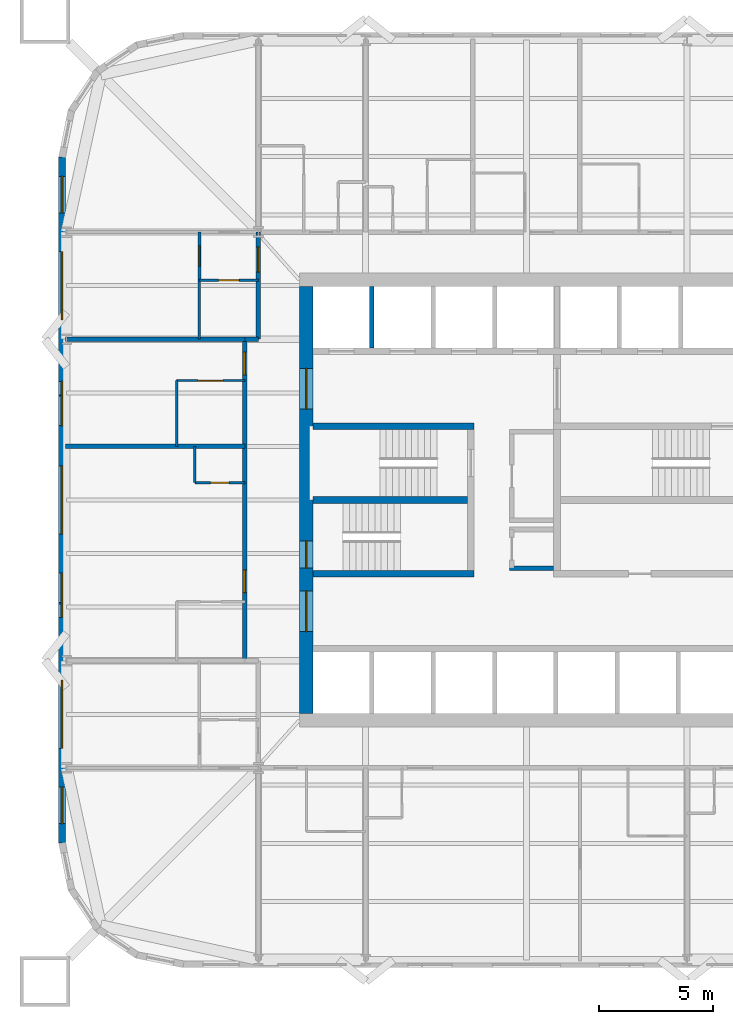
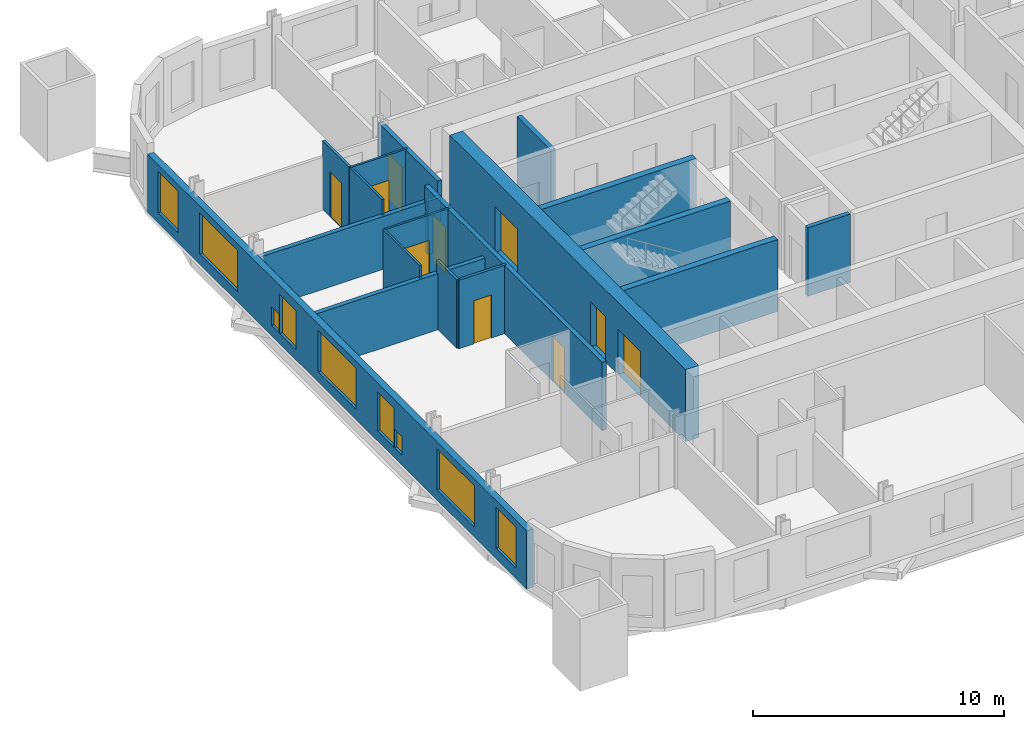
# One storey, part 4 of 9: 19 walls, 10 doors, 9 windows, 19 openings.
"""IFC4 building model written with IfcOpenShell, lengths in metres."""

from ifc_helpers import new_model, si_unit, direction, frame, frame_2d, origin, place, context, subcontext, project, spatial, rectangle, extrude, material, layer, layer_set, type_object, element, fill, save


model = new_model("IFC4")

# Units and contexts
model_context = context("Model", 3, precision=1e-05, world=origin(), true_north=direction((0.0, 1.0)))
body_context = subcontext(model_context, "Body", "Model", "MODEL_VIEW")
ifc_project = project(units=[si_unit("LENGTHUNIT", "METRE"), si_unit("AREAUNIT", "SQUARE_METRE"), si_unit("VOLUMEUNIT", "CUBIC_METRE"), si_unit("PLANEANGLEUNIT", "RADIAN"), si_unit("MASSUNIT", "GRAM", prefix="KILO")], contexts=[model_context])

# Site, building, storey
site_placement = place(None, origin())
site = spatial("IfcSite", under=ifc_project, at=site_placement, CompositionType="ELEMENT")
building_placement = place(site_placement, origin())
building = spatial("IfcBuilding", under=site, at=building_placement, Name="Turquesa Mirador Hotel Tower", CompositionType="ELEMENT")
storey_placement = place(building_placement, frame((0.0, 0.0, 114.39990234375)))
storey = spatial("IfcBuildingStorey", under=building, at=storey_placement, Name="L30", CompositionType="ELEMENT", Elevation=114.39990234375)

# Wall, opening, door
ifc_material_1 = material(Name="Gypsum board on steel studs", Category="steel")
ifc_layer_1 = layer(ifc_material_1, 0.10009765625)
ifc_layer_set_1 = layer_set([ifc_layer_1], Name="BATHROOM WALL 100")
wall_type_1 = type_object("IfcWallType", Name="BATHROOM WALL 100", PredefinedType="PARTITIONING", material=ifc_layer_set_1)
wall_1_placement = place(storey_placement, frame((39.60009765625, 50.260009765625, 0.0), z_axis=(0.0, 0.0, 1.0), x_axis=(1.0, 0.0, 0.0)))
wall_1 = element("IfcWall", 1, at=wall_1_placement, inside=storey, type_object=wall_type_1, Name="Partition L30 034", PredefinedType="PARTITIONING", context=body_context, shape_type="SweptSolid", body=[
    extrude(rectangle(XDim=3.0, YDim=0.10009765625, at=frame_2d((1.5, 0.0))), origin(), (0.0, 0.0, 1.0), 3.330078125),
])
opening_1_placement = place(wall_1_placement, frame((0.949951171875, 0.0, 0.0)))
opening_1 = element("IfcOpeningElement", 2, at=opening_1_placement, cuts=wall_1, Name="Opening D16", PredefinedType="OPENING", context=body_context, shape_type="SweptSolid", body=[
    extrude(rectangle(XDim=1.10009765625, YDim=2.10009765625, at=frame_2d((0.550048828125, 1.050048828125))), frame((0.0, 0.06005859375, 0.0), z_axis=(0.0, -1.0, 0.0), x_axis=(1.0, 0.0, 0.0)), (0.0, 0.0, 1.0), 0.1201171875),
])
ifc_material_2 = material(Name="Timber veneered sliding door", Category="wood")
door_type_1 = type_object("IfcDoorType", Name="DOOR 1100X2100 ACCESSIBLE EN-SUITE", OperationType="SLIDING_TO_LEFT", PredefinedType="DOOR", material=ifc_material_2)
door_1_placement = place(opening_1_placement, origin())
door_1 = element("IfcDoor", 3, at=door_1_placement, inside=storey, type_object=door_type_1, Name="Door 3012B", OperationType="SLIDING_TO_LEFT", OverallHeight=2.10009765625, OverallWidth=1.10009765625, PredefinedType="DOOR", context=body_context, shape_type="SweptSolid", body=[
    extrude(rectangle(XDim=1.10009765625, YDim=2.10009765625, at=frame_2d((0.550048828125, 1.050048828125))), frame((0.0, 0.02490234375, 0.0), z_axis=(0.0, -1.0, 0.0), x_axis=(1.0, 0.0, 0.0)), (0.0, 0.0, 1.0), 0.050048828125),
])
fill(opening_1, door_1)

wall_2_placement = place(storey_placement, frame((40.60009765625, 54.679931640625, 0.0), z_axis=(0.0, 0.0, 1.0), x_axis=(1.0, 0.0, 0.0)))
wall_2 = element("IfcWall", 4, at=wall_2_placement, inside=storey, type_object=wall_type_1, Name="Partition L30 039", PredefinedType="PARTITIONING", context=body_context, shape_type="SweptSolid", body=[
    extrude(rectangle(XDim=2.599853515625, YDim=0.10009765625, at=frame_2d((1.2998046875, 0.0))), origin(), (0.0, 0.0, 1.0), 3.330078125),
])
opening_2_placement = place(wall_2_placement, frame((0.85009765625, 0.0, 0.0)))
opening_2 = element("IfcOpeningElement", 5, at=opening_2_placement, cuts=wall_2, Name="Opening D02", PredefinedType="OPENING", context=body_context, shape_type="SweptSolid", body=[
    extrude(rectangle(XDim=0.89990234375, YDim=2.10009765625, at=frame_2d((0.449951171875, 1.050048828125))), frame((0.0, 0.06005859375, 0.0), z_axis=(0.0, -1.0, 0.0), x_axis=(1.0, 0.0, 0.0)), (0.0, 0.0, 1.0), 0.1201171875),
])
ifc_material_3 = material(Name="Timber veneered door", Category="wood")
door_type_2 = type_object("IfcDoorType", Name="DOOR 900X2100 EN-SUITE", OperationType="SINGLE_SWING_RIGHT", PredefinedType="DOOR", material=ifc_material_3)
door_2_placement = place(opening_2_placement, origin())
door_2 = element("IfcDoor", 6, at=door_2_placement, inside=storey, type_object=door_type_2, Name="Door 3014B", OperationType="SINGLE_SWING_RIGHT", OverallHeight=2.10009765625, OverallWidth=0.89990234375, PredefinedType="DOOR", context=body_context, shape_type="SweptSolid", body=[
    extrude(rectangle(XDim=0.89990234375, YDim=2.10009765625, at=frame_2d((0.449951171875, 1.050048828125))), frame((0.0, 0.02490234375, 0.0), z_axis=(0.0, -1.0, 0.0), x_axis=(1.0, 0.0, 0.0)), (0.0, 0.0, 1.0), 0.050048828125),
])
fill(opening_2, door_2)

# Walls
wall_3_placement = place(storey_placement, frame((40.60009765625, 52.080078125, 0.0), z_axis=(0.0, 0.0, 1.0), x_axis=(0.0, 1.0, 0.0)))
element("IfcWall", 7, at=wall_3_placement, inside=storey, type_object=wall_type_1, Name="Partition L30 048", PredefinedType="PARTITIONING", context=body_context, shape_type="SweptSolid", body=[
    extrude(rectangle(XDim=2.599853515625, YDim=0.10009765625, at=frame_2d((1.2998046875, 0.0))), origin(), (0.0, 0.0, 1.0), 3.330078125),
])
wall_4_placement = place(storey_placement, frame((39.60009765625, 47.360107421875, 0.0), z_axis=(0.0, 0.0, 1.0), x_axis=(0.0, 1.0, 0.0)))
element("IfcWall", 8, at=wall_4_placement, inside=storey, type_object=wall_type_1, Name="Partition L30 053", PredefinedType="PARTITIONING", context=body_context, shape_type="SweptSolid", body=[
    extrude(rectangle(XDim=2.89990234375, YDim=0.10009765625, at=frame_2d((1.449951171875, 0.0))), origin(), (0.0, 0.0, 1.0), 3.330078125),
])
ifc_material_4 = material(Name="Concrete C50/60", Category="concrete")
ifc_layer_2 = layer(ifc_material_4, 0.300048828125)
ifc_layer_set_2 = layer_set([ifc_layer_2], Name="CORE INNER WALL 300")
wall_type_2 = type_object("IfcWallType", Name="CORE INNER WALL 300", PredefinedType="SHEAR", material=ifc_layer_set_2)
for number, where, z_axis, x_axis, name in (
    (9, (45.60009765625, 48.25, 0.0), (0.0, 0.0, 1.0), (1.0, 0.0, 0.0), "Core wall MN-W"),
    (10, (45.60009765625, 41.75, 0.0), (0.0, 0.0, 1.0), (1.0, 0.0, 0.0), "Core wall MS-W"),
):
    element("IfcWall", number, at=place(storey_placement, frame(where, z_axis=z_axis, x_axis=x_axis)), inside=storey, type_object=wall_type_2, Name=name, PredefinedType="SHEAR", context=body_context, shape_type="SweptSolid", body=[
        extrude(rectangle(XDim=7.099853515625, YDim=0.300048828125, at=frame_2d((3.5498046875, 0.0))), origin(), (0.0, 0.0, 1.0), 3.5),
    ])
wall_5_placement = place(storey_placement, frame((45.60009765625, 45.0, 0.0), z_axis=(0.0, 0.0, 1.0), x_axis=(1.0, 0.0, 0.0)))
element("IfcWall", 11, at=wall_5_placement, inside=storey, type_object=wall_type_2, Name="Core wall M0-W", PredefinedType="SHEAR", context=body_context, shape_type="SweptSolid", body=[
    extrude(rectangle(XDim=6.7998046875, YDim=0.300048828125, at=frame_2d((3.39990234375, 0.0))), origin(), (0.0, 0.0, 1.0), 3.5),
])

# Wall, openings, doors
ifc_material_5 = material(Name="Concrete C50/60", Category="concrete")
ifc_layer_3 = layer(ifc_material_5, 0.60009765625)
ifc_layer_set_3 = layer_set([ifc_layer_3], Name="CORE WALL 600")
wall_type_3 = type_object("IfcWallType", Name="CORE WALL 600", PredefinedType="SHEAR", material=ifc_layer_set_3)
wall_6_placement = place(storey_placement, frame((45.300048828125, 35.60009765625, 0.0), z_axis=(0.0, 0.0, 1.0), x_axis=(0.0, 1.0, 0.0)))
wall_6 = element("IfcWall", 12, at=wall_6_placement, inside=storey, type_object=wall_type_3, Name="Core wall W", PredefinedType="SHEAR", context=body_context, shape_type="SweptSolid", body=[
    extrude(rectangle(XDim=18.7998046875, YDim=0.60009765625, at=frame_2d((9.39990234375, 0.0))), origin(), (0.0, 0.0, 1.0), 3.5),
])
opening_3_placement = place(wall_6_placement, frame((13.39990234375, 0.0, 0.0)))
opening_3 = element("IfcOpeningElement", 13, at=opening_3_placement, cuts=wall_6, Name="Opening D04", PredefinedType="OPENING", context=body_context, shape_type="SweptSolid", body=[
    extrude(rectangle(XDim=1.800048828125, YDim=2.199951171875, at=frame_2d((0.89990234375, 1.10009765625))), frame((0.0, 0.31005859375, 0.0), z_axis=(0.0, -1.0, 0.0), x_axis=(1.0, 0.0, 0.0)), (0.0, 0.0, 1.0), 0.6201171875),
])
opening_4_placement = place(wall_6_placement, frame((3.60009765625, 0.0, 0.0)))
opening_4 = element("IfcOpeningElement", 14, at=opening_4_placement, cuts=wall_6, Name="Opening D04", PredefinedType="OPENING", context=body_context, shape_type="SweptSolid", body=[
    extrude(rectangle(XDim=1.800048828125, YDim=2.199951171875, at=frame_2d((0.89990234375, 1.10009765625))), frame((0.0, 0.31005859375, 0.0), z_axis=(0.0, -1.0, 0.0), x_axis=(1.0, 0.0, 0.0)), (0.0, 0.0, 1.0), 0.6201171875),
])
opening_5_placement = place(wall_6_placement, frame((6.39990234375, 0.0, 0.0)))
opening_5 = element("IfcOpeningElement", 15, at=opening_5_placement, cuts=wall_6, Name="Opening D03", PredefinedType="OPENING", context=body_context, shape_type="SweptSolid", body=[
    extrude(rectangle(XDim=1.199951171875, YDim=2.199951171875, at=frame_2d((0.60009765625, 1.10009765625))), frame((0.0, 0.31005859375, 0.0), z_axis=(0.0, -1.0, 0.0), x_axis=(1.0, 0.0, 0.0)), (0.0, 0.0, 1.0), 0.6201171875),
])
ifc_material_6 = material(Name="Steel fire door", Category="steel")
door_type_3 = type_object("IfcDoorType", Name="DOOR 1200X2200 STAIR", OperationType="SINGLE_SWING_LEFT", PredefinedType="DOOR", material=ifc_material_6)
door_3_placement = place(opening_5_placement, origin())
door_3 = element("IfcDoor", 16, at=door_3_placement, inside=storey, type_object=door_type_3, Name="Stair ST2 door", OperationType="SINGLE_SWING_LEFT", OverallHeight=2.199951171875, OverallWidth=1.199951171875, PredefinedType="DOOR", context=body_context, shape_type="SweptSolid", body=[
    extrude(rectangle(XDim=1.199951171875, YDim=2.199951171875, at=frame_2d((0.60009765625, 1.10009765625))), frame((0.0, 0.02490234375, 0.0), z_axis=(0.0, -1.0, 0.0), x_axis=(1.0, 0.0, 0.0)), (0.0, 0.0, 1.0), 0.050048828125),
])
fill(opening_5, door_3)
ifc_material_7 = material(Name="Steel fire door pair", Category="steel")
door_type_4 = type_object("IfcDoorType", Name="DOOR 1800X2200 PAIR", OperationType="DOUBLE_DOOR_SINGLE_SWING", PredefinedType="DOOR", material=ifc_material_7)
door_4_placement = place(opening_3_placement, origin())
door_4 = element("IfcDoor", 17, at=door_4_placement, inside=storey, type_object=door_type_4, Name="North lift lobby door", OperationType="DOUBLE_DOOR_SINGLE_SWING", OverallHeight=2.199951171875, OverallWidth=1.800048828125, PredefinedType="DOOR", context=body_context, shape_type="SweptSolid", body=[
    extrude(rectangle(XDim=1.800048828125, YDim=2.199951171875, at=frame_2d((0.89990234375, 1.10009765625))), frame((0.0, 0.02490234375, 0.0), z_axis=(0.0, -1.0, 0.0), x_axis=(1.0, 0.0, 0.0)), (0.0, 0.0, 1.0), 0.050048828125),
])
fill(opening_3, door_4)
door_5_placement = place(opening_4_placement, origin())
door_5 = element("IfcDoor", 18, at=door_5_placement, inside=storey, type_object=door_type_4, Name="South lift lobby door", OperationType="DOUBLE_DOOR_SINGLE_SWING", OverallHeight=2.199951171875, OverallWidth=1.800048828125, PredefinedType="DOOR", context=body_context, shape_type="SweptSolid", body=[
    extrude(rectangle(XDim=1.800048828125, YDim=2.199951171875, at=frame_2d((0.89990234375, 1.10009765625))), frame((0.0, 0.02490234375, 0.0), z_axis=(0.0, -1.0, 0.0), x_axis=(1.0, 0.0, 0.0)), (0.0, 0.0, 1.0), 0.050048828125),
])
fill(opening_4, door_5)

# Wall
ifc_material_8 = material(Name="Fire-rated gypsum board on steel studs", Category="steel")
ifc_layer_4 = layer(ifc_material_8, 0.199951171875)
ifc_layer_set_4 = layer_set([ifc_layer_4], Name="CORRIDOR WALL 200")
wall_type_4 = type_object("IfcWallType", Name="CORRIDOR WALL 200", PredefinedType="PARTITIONING", material=ifc_layer_set_4)
wall_7_placement = place(storey_placement, frame((42.60009765625, 52.080078125, 0.0), z_axis=(0.0, 0.0, 1.0), x_axis=(1.0, 0.0, 0.0)))
element("IfcWall", 19, at=wall_7_placement, inside=storey, type_object=wall_type_4, Name="Partition L30 035", PredefinedType="PARTITIONING", context=body_context, shape_type="SweptSolid", body=[
    extrude(rectangle(XDim=0.599853515625, YDim=0.199951171875, at=frame_2d((0.2998046875, 0.0))), origin(), (0.0, 0.0, 1.0), 2.5732421875),
])

# Wall, opening, door
wall_8_placement = place(storey_placement, frame((43.199951171875, 52.080078125, 0.0), z_axis=(0.0, 0.0, 1.0), x_axis=(0.0, 1.0, 0.0)))
wall_8 = element("IfcWall", 20, at=wall_8_placement, inside=storey, type_object=wall_type_4, Name="Partition L30 043", PredefinedType="PARTITIONING", context=body_context, shape_type="SweptSolid", body=[
    extrude(rectangle(XDim=4.719970703125, YDim=0.199951171875, at=frame_2d((2.35986328125, 0.0))), origin(), (0.0, 0.0, 1.0), 3.330078125),
])
opening_6_placement = place(wall_8_placement, frame((2.9599609375, 0.0, 0.0)))
opening_6 = element("IfcOpeningElement", 21, at=opening_6_placement, cuts=wall_8, Name="Opening D15", PredefinedType="OPENING", context=body_context, shape_type="SweptSolid", body=[
    extrude(rectangle(XDim=1.10009765625, YDim=2.199951171875, at=frame_2d((0.550048828125, 1.10009765625))), frame((0.0, 0.10986328125, 0.0), z_axis=(0.0, -1.0, 0.0), x_axis=(1.0, 0.0, 0.0)), (0.0, 0.0, 1.0), 0.219970703125),
])
ifc_material_9 = material(Name="Timber veneered fire door", Category="wood")
door_type_5 = type_object("IfcDoorType", Name="DOOR 1100X2200 SUITE ENTRY", OperationType="SINGLE_SWING_LEFT", PredefinedType="DOOR", material=ifc_material_9)
door_6_placement = place(opening_6_placement, origin())
door_6 = element("IfcDoor", 22, at=door_6_placement, inside=storey, type_object=door_type_5, Name="Door 3014H", OperationType="SINGLE_SWING_LEFT", OverallHeight=2.199951171875, OverallWidth=1.10009765625, PredefinedType="DOOR", context=body_context, shape_type="SweptSolid", body=[
    extrude(rectangle(XDim=1.10009765625, YDim=2.199951171875, at=frame_2d((0.550048828125, 1.10009765625))), frame((0.0, 0.02490234375, 0.0), z_axis=(0.0, -1.0, 0.0), x_axis=(1.0, 0.0, 0.0)), (0.0, 0.0, 1.0), 0.050048828125),
])
fill(opening_6, door_6)

# Wall, openings, doors
wall_9_placement = place(storey_placement, frame((42.60009765625, 37.919921875, 0.0), z_axis=(0.0, 0.0, 1.0), x_axis=(0.0, 1.0, 0.0)))
wall_9 = element("IfcWall", 23, at=wall_9_placement, inside=storey, type_object=wall_type_4, Name="Partition L30 046", PredefinedType="PARTITIONING", context=body_context, shape_type="SweptSolid", body=[
    extrude(rectangle(XDim=14.16015625, YDim=0.199951171875, at=frame_2d((7.080078125, 0.0))), origin(), (0.0, 0.0, 1.0), 3.330078125),
])
opening_7_placement = place(wall_9_placement, frame((3.0, 0.0, 0.0)))
opening_7 = element("IfcOpeningElement", 24, at=opening_7_placement, cuts=wall_9, Name="Opening D01", PredefinedType="OPENING", context=body_context, shape_type="SweptSolid", body=[
    extrude(rectangle(XDim=1.0, YDim=2.199951171875, at=frame_2d((0.5, 1.10009765625))), frame((0.0, 0.10986328125, 0.0), z_axis=(0.0, -1.0, 0.0), x_axis=(1.0, 0.0, 0.0)), (0.0, 0.0, 1.0), 0.219970703125),
])
opening_8_placement = place(wall_9_placement, frame((12.590087890625, 0.0, 0.0)))
opening_8 = element("IfcOpeningElement", 25, at=opening_8_placement, cuts=wall_9, Name="Opening D01", PredefinedType="OPENING", context=body_context, shape_type="SweptSolid", body=[
    extrude(rectangle(XDim=1.0, YDim=2.199951171875, at=frame_2d((0.5, 1.10009765625))), frame((0.0, 0.10986328125, 0.0), z_axis=(0.0, -1.0, 0.0), x_axis=(1.0, 0.0, 0.0)), (0.0, 0.0, 1.0), 0.219970703125),
])
ifc_material_10 = material(Name="Timber veneered fire door", Category="wood")
door_type_6 = type_object("IfcDoorType", Name="DOOR 1000X2200 GUEST ENTRY", OperationType="SINGLE_SWING_LEFT", PredefinedType="DOOR", material=ifc_material_10)
door_7_placement = place(opening_7_placement, origin())
door_7 = element("IfcDoor", 26, at=door_7_placement, inside=storey, type_object=door_type_6, Name="Door 3011", OperationType="SINGLE_SWING_LEFT", OverallHeight=2.199951171875, OverallWidth=1.0, PredefinedType="DOOR", context=body_context, shape_type="SweptSolid", body=[
    extrude(rectangle(XDim=1.0, YDim=2.199951171875, at=frame_2d((0.5, 1.10009765625))), frame((0.0, 0.02490234375, 0.0), z_axis=(0.0, -1.0, 0.0), x_axis=(1.0, 0.0, 0.0)), (0.0, 0.0, 1.0), 0.050048828125),
])
fill(opening_7, door_7)
door_8_placement = place(opening_8_placement, origin())
door_8 = element("IfcDoor", 27, at=door_8_placement, inside=storey, type_object=door_type_6, Name="Door 3012", OperationType="SINGLE_SWING_LEFT", OverallHeight=2.199951171875, OverallWidth=1.0, PredefinedType="DOOR", context=body_context, shape_type="SweptSolid", body=[
    extrude(rectangle(XDim=1.0, YDim=2.199951171875, at=frame_2d((0.5, 1.10009765625))), frame((0.0, 0.02490234375, 0.0), z_axis=(0.0, -1.0, 0.0), x_axis=(1.0, 0.0, 0.0)), (0.0, 0.0, 1.0), 0.050048828125),
])
fill(opening_8, door_8)

# Wall, openings, windows
ifc_material_11 = material(Name="Limestone cladding on concrete block", Category="masonry")
ifc_layer_5 = layer(ifc_material_11, 0.300048828125)
ifc_layer_set_5 = layer_set([ifc_layer_5], Name="FACADE WALL 300 STONE SCREEN")
wall_type_5 = type_object("IfcWallType", Name="FACADE WALL 300 STONE SCREEN", PredefinedType="SOLIDWALL", material=ifc_layer_set_5)
wall_10_placement = place(storey_placement, frame((34.550048828125, 60.10009765625, 0.0), z_axis=(0.0, 0.0, 1.0), x_axis=(0.0, -1.0, 0.0)))
wall_10 = element("IfcWall", 28, at=wall_10_placement, inside=storey, type_object=wall_type_5, Name="Facade wall L30 14", PredefinedType="SOLIDWALL", context=body_context, shape_type="SweptSolid", body=[
    extrude(rectangle(XDim=30.2001953125, YDim=0.300048828125, at=frame_2d((15.10009765625, 0.0))), origin(), (0.0, 0.0, 1.0), 2.830078125),
])
opening_9_placement = place(wall_10_placement, frame((0.85009765625, 0.0, 0.5)))
opening_9 = element("IfcOpeningElement", 29, at=opening_9_placement, cuts=wall_10, Name="Opening WN3", PredefinedType="OPENING", context=body_context, shape_type="SweptSolid", body=[
    extrude(rectangle(XDim=1.60009765625, YDim=2.0, at=frame_2d((0.800048828125, 1.0))), frame((0.0, 0.159912109375, 0.0), z_axis=(0.0, -1.0, 0.0), x_axis=(1.0, 0.0, 0.0)), (0.0, 0.0, 1.0), 0.320068359375),
])
opening_10_placement = place(wall_10_placement, frame((4.159912109375, 0.0, 0.5)))
opening_10 = element("IfcOpeningElement", 30, at=opening_10_placement, cuts=wall_10, Name="Opening WN1", PredefinedType="OPENING", context=body_context, shape_type="SweptSolid", body=[
    extrude(rectangle(XDim=3.0, YDim=2.0, at=frame_2d((1.5, 1.0))), frame((0.0, 0.159912109375, 0.0), z_axis=(0.0, -1.0, 0.0), x_axis=(1.0, 0.0, 0.0)), (0.0, 0.0, 1.0), 0.320068359375),
])
opening_11_placement = place(wall_10_placement, frame((10.530029296875, 0.0, 0.5)))
opening_11 = element("IfcOpeningElement", 31, at=opening_11_placement, cuts=wall_10, Name="Opening WN27", PredefinedType="OPENING", context=body_context, shape_type="SweptSolid", body=[
    extrude(rectangle(XDim=1.300048828125, YDim=1.89990234375, at=frame_2d((0.64990234375, 0.949951171875))), frame((0.0, 0.159912109375, 0.0), z_axis=(0.0, -1.0, 0.0), x_axis=(1.0, 0.0, 0.0)), (0.0, 0.0, 1.0), 0.320068359375),
])
opening_12_placement = place(wall_10_placement, frame((13.60009765625, 0.0, 0.5)))
opening_12 = element("IfcOpeningElement", 32, at=opening_12_placement, cuts=wall_10, Name="Opening WN1", PredefinedType="OPENING", context=body_context, shape_type="SweptSolid", body=[
    extrude(rectangle(XDim=3.0, YDim=2.0, at=frame_2d((1.5, 1.0))), frame((0.0, 0.159912109375, 0.0), z_axis=(0.0, -1.0, 0.0), x_axis=(1.0, 0.0, 0.0)), (0.0, 0.0, 1.0), 0.320068359375),
])
opening_13_placement = place(wall_10_placement, frame((18.320068359375, 0.0, 0.5)))
opening_13 = element("IfcOpeningElement", 33, at=opening_13_placement, cuts=wall_10, Name="Opening WN27", PredefinedType="OPENING", context=body_context, shape_type="SweptSolid", body=[
    extrude(rectangle(XDim=1.300048828125, YDim=1.89990234375, at=frame_2d((0.64990234375, 0.949951171875))), frame((0.0, 0.159912109375, 0.0), z_axis=(0.0, -1.0, 0.0), x_axis=(1.0, 0.0, 0.0)), (0.0, 0.0, 1.0), 0.320068359375),
])
opening_14_placement = place(wall_10_placement, frame((23.0400390625, 0.0, 0.5)))
opening_14 = element("IfcOpeningElement", 34, at=opening_14_placement, cuts=wall_10, Name="Opening WN1", PredefinedType="OPENING", context=body_context, shape_type="SweptSolid", body=[
    extrude(rectangle(XDim=3.0, YDim=2.0, at=frame_2d((1.5, 1.0))), frame((0.0, 0.159912109375, 0.0), z_axis=(0.0, -1.0, 0.0), x_axis=(1.0, 0.0, 0.0)), (0.0, 0.0, 1.0), 0.320068359375),
])
opening_15_placement = place(wall_10_placement, frame((27.75, 0.0, 0.5)))
opening_15 = element("IfcOpeningElement", 35, at=opening_15_placement, cuts=wall_10, Name="Opening WN3", PredefinedType="OPENING", context=body_context, shape_type="SweptSolid", body=[
    extrude(rectangle(XDim=1.60009765625, YDim=2.0, at=frame_2d((0.800048828125, 1.0))), frame((0.0, 0.159912109375, 0.0), z_axis=(0.0, -1.0, 0.0), x_axis=(1.0, 0.0, 0.0)), (0.0, 0.0, 1.0), 0.320068359375),
])
opening_16_placement = place(wall_10_placement, frame((9.8798828125, 0.0, 0.5)))
opening_16 = element("IfcOpeningElement", 36, at=opening_16_placement, cuts=wall_10, Name="Opening WN25", PredefinedType="OPENING", context=body_context, shape_type="SweptSolid", body=[
    extrude(rectangle(XDim=0.60009765625, YDim=0.89990234375, at=frame_2d((0.300048828125, 0.449951171875))), frame((0.0, 0.159912109375, 0.0), z_axis=(0.0, -1.0, 0.0), x_axis=(1.0, 0.0, 0.0)), (0.0, 0.0, 1.0), 0.320068359375),
])
opening_17_placement = place(wall_10_placement, frame((19.669921875, 0.0, 0.5)))
opening_17 = element("IfcOpeningElement", 37, at=opening_17_placement, cuts=wall_10, Name="Opening WN25", PredefinedType="OPENING", context=body_context, shape_type="SweptSolid", body=[
    extrude(rectangle(XDim=0.60009765625, YDim=0.89990234375, at=frame_2d((0.300048828125, 0.449951171875))), frame((0.0, 0.159912109375, 0.0), z_axis=(0.0, -1.0, 0.0), x_axis=(1.0, 0.0, 0.0)), (0.0, 0.0, 1.0), 0.320068359375),
])
ifc_material_12 = material(Name="Ceramic-fritted laminated glass", Category="glass")
window_type_1 = type_object("IfcWindowType", Name="FRITTED WINDOW 1300X1900", PartitioningType="DOUBLE_PANEL_HORIZONTAL", PredefinedType="WINDOW", material=ifc_material_12)
window_1_placement = place(opening_11_placement, origin())
window_1 = element("IfcWindow", 38, at=window_1_placement, inside=storey, type_object=window_type_1, Name="Window L30", OverallHeight=1.89990234375, OverallWidth=1.300048828125, PartitioningType="SINGLE_PANEL", PredefinedType="WINDOW", context=body_context, shape_type="SweptSolid", body=[
    extrude(rectangle(XDim=1.300048828125, YDim=1.89990234375, at=frame_2d((0.64990234375, 0.949951171875))), frame((0.0, 0.030029296875, 0.0), z_axis=(0.0, -1.0, 0.0), x_axis=(1.0, 0.0, 0.0)), (0.0, 0.0, 1.0), 0.06005859375),
])
fill(opening_11, window_1)
window_2_placement = place(opening_13_placement, origin())
window_2 = element("IfcWindow", 39, at=window_2_placement, inside=storey, type_object=window_type_1, Name="Window L30", OverallHeight=1.89990234375, OverallWidth=1.300048828125, PartitioningType="SINGLE_PANEL", PredefinedType="WINDOW", context=body_context, shape_type="SweptSolid", body=[
    extrude(rectangle(XDim=1.300048828125, YDim=1.89990234375, at=frame_2d((0.64990234375, 0.949951171875))), frame((0.0, 0.030029296875, 0.0), z_axis=(0.0, -1.0, 0.0), x_axis=(1.0, 0.0, 0.0)), (0.0, 0.0, 1.0), 0.06005859375),
])
fill(opening_13, window_2)
ifc_material_13 = material(Name="Ceramic-fritted laminated glass", Category="glass")
window_type_2 = type_object("IfcWindowType", Name="FRITTED WINDOW 1600X2000", PartitioningType="DOUBLE_PANEL_HORIZONTAL", PredefinedType="WINDOW", material=ifc_material_13)
window_3_placement = place(opening_9_placement, origin())
window_3 = element("IfcWindow", 40, at=window_3_placement, inside=storey, type_object=window_type_2, Name="Window L30", OverallHeight=2.0, OverallWidth=1.60009765625, PartitioningType="SINGLE_PANEL", PredefinedType="WINDOW", context=body_context, shape_type="SweptSolid", body=[
    extrude(rectangle(XDim=1.60009765625, YDim=2.0, at=frame_2d((0.800048828125, 1.0))), frame((0.0, 0.030029296875, 0.0), z_axis=(0.0, -1.0, 0.0), x_axis=(1.0, 0.0, 0.0)), (0.0, 0.0, 1.0), 0.06005859375),
])
fill(opening_9, window_3)
window_4_placement = place(opening_15_placement, origin())
window_4 = element("IfcWindow", 41, at=window_4_placement, inside=storey, type_object=window_type_2, Name="Window L30", OverallHeight=2.0, OverallWidth=1.60009765625, PartitioningType="SINGLE_PANEL", PredefinedType="WINDOW", context=body_context, shape_type="SweptSolid", body=[
    extrude(rectangle(XDim=1.60009765625, YDim=2.0, at=frame_2d((0.800048828125, 1.0))), frame((0.0, 0.030029296875, 0.0), z_axis=(0.0, -1.0, 0.0), x_axis=(1.0, 0.0, 0.0)), (0.0, 0.0, 1.0), 0.06005859375),
])
fill(opening_15, window_4)
ifc_material_14 = material(Name="Ceramic-fritted laminated glass", Category="glass")
window_type_3 = type_object("IfcWindowType", Name="FRITTED WINDOW 3000X2000", PartitioningType="DOUBLE_PANEL_HORIZONTAL", PredefinedType="WINDOW", material=ifc_material_14)
window_5_placement = place(opening_10_placement, origin())
window_5 = element("IfcWindow", 42, at=window_5_placement, inside=storey, type_object=window_type_3, Name="Window L30", OverallHeight=2.0, OverallWidth=3.0, PartitioningType="SINGLE_PANEL", PredefinedType="WINDOW", context=body_context, shape_type="SweptSolid", body=[
    extrude(rectangle(XDim=3.0, YDim=2.0, at=frame_2d((1.5, 1.0))), frame((0.0, 0.030029296875, 0.0), z_axis=(0.0, -1.0, 0.0), x_axis=(1.0, 0.0, 0.0)), (0.0, 0.0, 1.0), 0.06005859375),
])
fill(opening_10, window_5)
window_6_placement = place(opening_12_placement, origin())
window_6 = element("IfcWindow", 43, at=window_6_placement, inside=storey, type_object=window_type_3, Name="Window L30", OverallHeight=2.0, OverallWidth=3.0, PartitioningType="SINGLE_PANEL", PredefinedType="WINDOW", context=body_context, shape_type="SweptSolid", body=[
    extrude(rectangle(XDim=3.0, YDim=2.0, at=frame_2d((1.5, 1.0))), frame((0.0, 0.030029296875, 0.0), z_axis=(0.0, -1.0, 0.0), x_axis=(1.0, 0.0, 0.0)), (0.0, 0.0, 1.0), 0.06005859375),
])
fill(opening_12, window_6)
window_7_placement = place(opening_14_placement, origin())
window_7 = element("IfcWindow", 44, at=window_7_placement, inside=storey, type_object=window_type_3, Name="Window L30", OverallHeight=2.0, OverallWidth=3.0, PartitioningType="SINGLE_PANEL", PredefinedType="WINDOW", context=body_context, shape_type="SweptSolid", body=[
    extrude(rectangle(XDim=3.0, YDim=2.0, at=frame_2d((1.5, 1.0))), frame((0.0, 0.030029296875, 0.0), z_axis=(0.0, -1.0, 0.0), x_axis=(1.0, 0.0, 0.0)), (0.0, 0.0, 1.0), 0.06005859375),
])
fill(opening_14, window_7)
ifc_material_15 = material(Name="Ceramic-fritted laminated glass", Category="glass")
window_type_4 = type_object("IfcWindowType", Name="FRITTED WINDOW 600X900", PartitioningType="DOUBLE_PANEL_HORIZONTAL", PredefinedType="WINDOW", material=ifc_material_15)
window_8_placement = place(opening_16_placement, origin())
window_8 = element("IfcWindow", 45, at=window_8_placement, inside=storey, type_object=window_type_4, Name="Window L30", OverallHeight=0.89990234375, OverallWidth=0.60009765625, PartitioningType="SINGLE_PANEL", PredefinedType="WINDOW", context=body_context, shape_type="SweptSolid", body=[
    extrude(rectangle(XDim=0.60009765625, YDim=0.89990234375, at=frame_2d((0.300048828125, 0.449951171875))), frame((0.0, 0.030029296875, 0.0), z_axis=(0.0, -1.0, 0.0), x_axis=(1.0, 0.0, 0.0)), (0.0, 0.0, 1.0), 0.06005859375),
])
fill(opening_16, window_8)
window_9_placement = place(opening_17_placement, origin())
window_9 = element("IfcWindow", 46, at=window_9_placement, inside=storey, type_object=window_type_4, Name="Window L30", OverallHeight=0.89990234375, OverallWidth=0.60009765625, PartitioningType="SINGLE_PANEL", PredefinedType="WINDOW", context=body_context, shape_type="SweptSolid", body=[
    extrude(rectangle(XDim=0.60009765625, YDim=0.89990234375, at=frame_2d((0.300048828125, 0.449951171875))), frame((0.0, 0.030029296875, 0.0), z_axis=(0.0, -1.0, 0.0), x_axis=(1.0, 0.0, 0.0)), (0.0, 0.0, 1.0), 0.06005859375),
])
fill(opening_17, window_9)

# Walls
ifc_material_16 = material(Name="Fire-rated gypsum board on steel studs", Category="steel")
ifc_layer_6 = layer(ifc_material_16, 0.199951171875)
ifc_layer_set_6 = layer_set([ifc_layer_6], Name="FIRE PARTITION 200")
wall_type_6 = type_object("IfcWallType", Name="FIRE PARTITION 200", PredefinedType="PARTITIONING", material=ifc_layer_set_6)
wall_11_placement = place(storey_placement, frame((54.25, 42.0, 0.0), z_axis=(0.0, 0.0, 1.0), x_axis=(1.0, 0.0, 0.0)))
element("IfcWall", 47, at=wall_11_placement, inside=storey, type_object=wall_type_6, Name="Partition L30 SW S", PredefinedType="PARTITIONING", context=body_context, shape_type="SweptSolid", body=[
    extrude(rectangle(XDim=1.949951171875, YDim=0.199951171875, at=frame_2d((0.97509765625, 0.0))), origin(), (0.0, 0.0, 1.0), 3.330078125),
])
ifc_material_17 = material(Name="Fire-rated gypsum shaft wall on steel studs", Category="steel")
ifc_layer_7 = layer(ifc_material_17, 0.199951171875)
ifc_layer_set_7 = layer_set([ifc_layer_7], Name="LIFT SHAFT DIVIDER 200")
wall_type_7 = type_object("IfcWallType", Name="LIFT SHAFT DIVIDER 200", PredefinedType="PARTITIONING", material=ifc_layer_set_7)
wall_12_placement = place(storey_placement, frame((48.199951171875, 51.699951171875, 0.0), z_axis=(0.0, 0.0, 1.0), x_axis=(0.0, 1.0, 0.0)))
element("IfcWall", 48, at=wall_12_placement, inside=storey, type_object=wall_type_7, Name="Lift shaft divider", PredefinedType="PARTITIONING", context=body_context, shape_type="SweptSolid", body=[
    extrude(rectangle(XDim=2.699951171875, YDim=0.199951171875, at=frame_2d((1.35009765625, 0.0))), origin(), (0.0, 0.0, 1.0), 3.330078125),
])
ifc_material_18 = material(Name="Fire-rated gypsum board on steel studs", Category="steel")
ifc_layer_8 = layer(ifc_material_18, 0.199951171875)
ifc_layer_set_8 = layer_set([ifc_layer_8], Name="PARTY WALL 200")
wall_type_8 = type_object("IfcWallType", Name="PARTY WALL 200", PredefinedType="PARTITIONING", material=ifc_layer_set_8)
wall_13_placement = place(storey_placement, frame((34.699951171875, 47.360107421875, 0.0), z_axis=(0.0, 0.0, 1.0), x_axis=(1.0, 0.0, 0.0)))
element("IfcWall", 49, at=wall_13_placement, inside=storey, type_object=wall_type_8, Name="Partition L30 031", PredefinedType="PARTITIONING", context=body_context, shape_type="SweptSolid", body=[
    extrude(rectangle(XDim=7.900146484375, YDim=0.199951171875, at=frame_2d((3.9501953125, 0.0))), origin(), (0.0, 0.0, 1.0), 2.730712890625),
])
wall_14_placement = place(storey_placement, frame((34.699951171875, 52.080078125, 0.0), z_axis=(0.0, 0.0, 1.0), x_axis=(1.0, 0.0, 0.0)))
element("IfcWall", 50, at=wall_14_placement, inside=storey, type_object=wall_type_8, Name="Partition L30 037", PredefinedType="PARTITIONING", context=body_context, shape_type="SweptSolid", body=[
    extrude(rectangle(XDim=7.900146484375, YDim=0.199951171875, at=frame_2d((3.9501953125, 0.0))), origin(), (0.0, 0.0, 1.0), 2.5732421875),
])

# Wall, opening, door
ifc_material_19 = material(Name="Acoustic gypsum board on steel studs", Category="steel")
ifc_layer_9 = layer(ifc_material_19, 0.125)
ifc_layer_set_9 = layer_set([ifc_layer_9], Name="SUITE PARTITION 125")
wall_type_9 = type_object("IfcWallType", Name="SUITE PARTITION 125", PredefinedType="PARTITIONING", material=ifc_layer_set_9)
wall_15_placement = place(storey_placement, frame((40.39990234375, 45.760009765625, 0.0), z_axis=(0.0, 0.0, 1.0), x_axis=(1.0, 0.0, 0.0)))
wall_15 = element("IfcWall", 51, at=wall_15_placement, inside=storey, type_object=wall_type_9, Name="Partition L30 020", PredefinedType="PARTITIONING", context=body_context, shape_type="SweptSolid", body=[
    extrude(rectangle(XDim=2.2001953125, YDim=0.125, at=frame_2d((1.10009765625, 0.0))), origin(), (0.0, 0.0, 1.0), 3.330078125),
])
opening_18_placement = place(wall_15_placement, frame((0.699951171875, 0.0, 0.0)))
opening_18 = element("IfcOpeningElement", 52, at=opening_18_placement, cuts=wall_15, Name="Opening D20", PredefinedType="OPENING", context=body_context, shape_type="SweptSolid", body=[
    extrude(rectangle(XDim=0.800048828125, YDim=2.10009765625, at=frame_2d((0.39990234375, 1.050048828125))), frame((0.0, 0.072509765625, 0.0), z_axis=(0.0, -1.0, 0.0), x_axis=(1.0, 0.0, 0.0)), (0.0, 0.0, 1.0), 0.14501953125),
])
ifc_material_20 = material(Name="Timber veneered sliding door", Category="wood")
door_type_7 = type_object("IfcDoorType", Name="DOOR 800X2100 WARDROBE", OperationType="SLIDING_TO_LEFT", PredefinedType="DOOR", material=ifc_material_20)
door_9_placement = place(opening_18_placement, origin())
door_9 = element("IfcDoor", 53, at=door_9_placement, inside=storey, type_object=door_type_7, Name="Door 3011W", OperationType="SLIDING_TO_LEFT", OverallHeight=2.10009765625, OverallWidth=0.800048828125, PredefinedType="DOOR", context=body_context, shape_type="SweptSolid", body=[
    extrude(rectangle(XDim=0.800048828125, YDim=2.10009765625, at=frame_2d((0.39990234375, 1.050048828125))), frame((0.0, 0.02490234375, 0.0), z_axis=(0.0, -1.0, 0.0), x_axis=(1.0, 0.0, 0.0)), (0.0, 0.0, 1.0), 0.050048828125),
])
fill(opening_18, door_9)

wall_16_placement = place(storey_placement, frame((40.60009765625, 54.679931640625, 0.0), z_axis=(0.0, 0.0, 1.0), x_axis=(0.0, 1.0, 0.0)))
wall_16 = element("IfcWall", 54, at=wall_16_placement, inside=storey, type_object=wall_type_9, Name="Partition L30 050", PredefinedType="PARTITIONING", context=body_context, shape_type="SweptSolid", body=[
    extrude(rectangle(XDim=2.1201171875, YDim=0.125, at=frame_2d((1.06005859375, 0.0))), origin(), (0.0, 0.0, 1.0), 3.330078125),
])
opening_19_placement = place(wall_16_placement, frame((0.610107421875, 0.0, 0.0)))
opening_19 = element("IfcOpeningElement", 55, at=opening_19_placement, cuts=wall_16, Name="Opening D17", PredefinedType="OPENING", context=body_context, shape_type="SweptSolid", body=[
    extrude(rectangle(XDim=0.89990234375, YDim=2.199951171875, at=frame_2d((0.449951171875, 1.10009765625))), frame((0.0, 0.072509765625, 0.0), z_axis=(0.0, -1.0, 0.0), x_axis=(1.0, 0.0, 0.0)), (0.0, 0.0, 1.0), 0.14501953125),
])
ifc_material_21 = material(Name="Timber veneered door", Category="wood")
door_type_8 = type_object("IfcDoorType", Name="DOOR 900X2200 SUITE INTERNAL", OperationType="SINGLE_SWING_LEFT", PredefinedType="DOOR", material=ifc_material_21)
door_10_placement = place(opening_19_placement, origin())
door_10 = element("IfcDoor", 56, at=door_10_placement, inside=storey, type_object=door_type_8, Name="Door 3014R", OperationType="SINGLE_SWING_LEFT", OverallHeight=2.199951171875, OverallWidth=0.89990234375, PredefinedType="DOOR", context=body_context, shape_type="SweptSolid", body=[
    extrude(rectangle(XDim=0.89990234375, YDim=2.199951171875, at=frame_2d((0.449951171875, 1.10009765625))), frame((0.0, 0.02490234375, 0.0), z_axis=(0.0, -1.0, 0.0), x_axis=(1.0, 0.0, 0.0)), (0.0, 0.0, 1.0), 0.050048828125),
])
fill(opening_19, door_10)

# Wall
wall_17_placement = place(storey_placement, frame((40.39990234375, 45.760009765625, 0.0), z_axis=(0.0, 0.0, 1.0), x_axis=(0.0, 1.0, 0.0)))
element("IfcWall", 57, at=wall_17_placement, inside=storey, type_object=wall_type_9, Name="Partition L30 051", PredefinedType="PARTITIONING", context=body_context, shape_type="SweptSolid", body=[
    extrude(rectangle(XDim=1.60009765625, YDim=0.125, at=frame_2d((0.800048828125, 0.0))), origin(), (0.0, 0.0, 1.0), 3.330078125),
])

save(model, "model.ifc")
